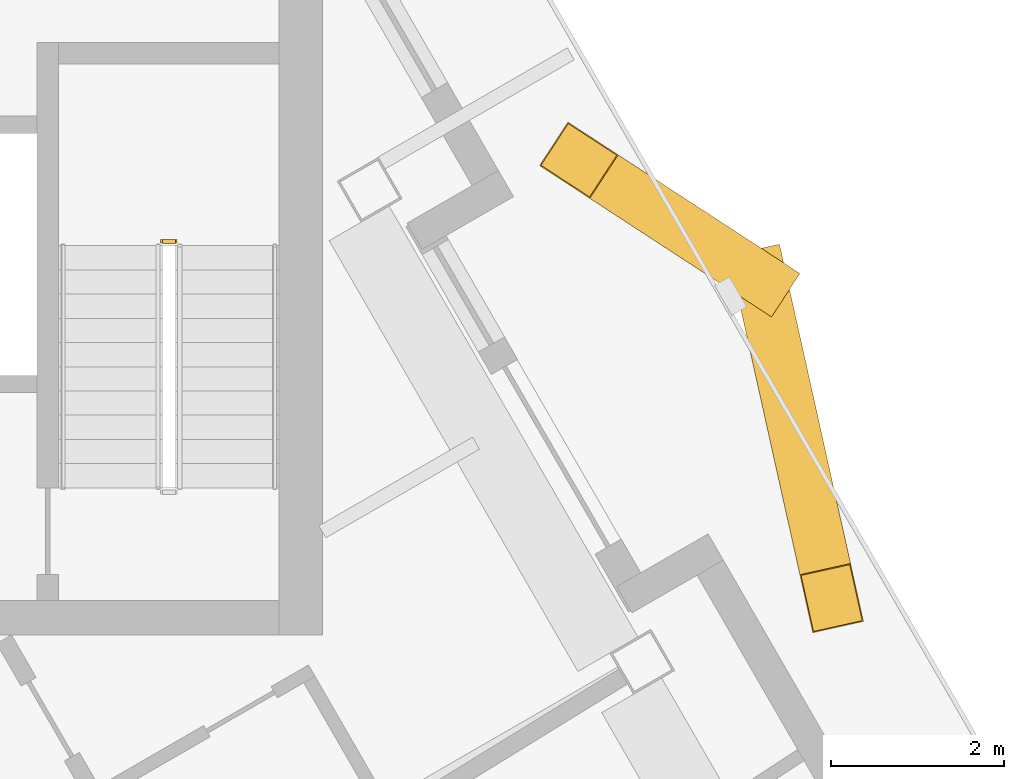
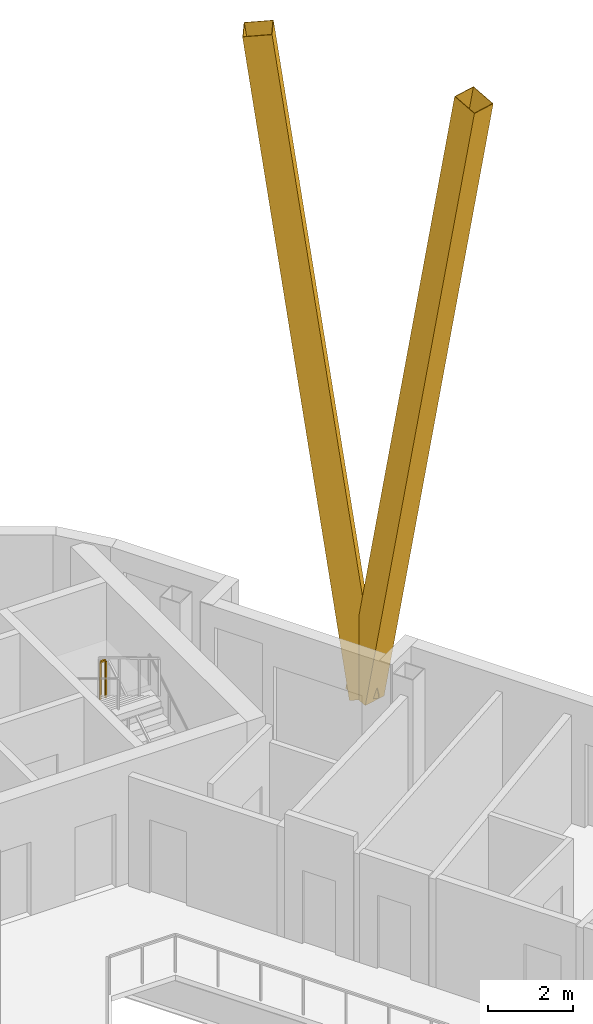
# One storey, part 12 of 12: 2 shading devices, 1 railing.
"""IFC4 building model written with IfcOpenShell, lengths in metres."""

import ifcopenshell
import ifcopenshell.guid

model = None  # the IFC model being written
_history = None  # IfcOwnerHistory: only IFC2X3 demands one
_inside = {}  # id of a spatial element -> (the spatial element, [elements in it])
_under = {}  # id of a project, library or spatial element -> (it, [spatial elements below it])
_declared = {}  # id of a project -> (the project, [libraries it declares])
_typed = {}  # id of a type object -> (the type object, [elements of that type])
_made_of = {}  # id of a material, layer set ... -> (it, [elements and type objects made of it])


def new_model(schema):
    """Start an empty IFC model of exactly this schema.

    Asked for "IFC4X3", IfcOpenShell would pick the latest addendum, in which some entities
    have other attributes; the version numbers below select the first issue.
    IFC2X3 requires an IfcOwnerHistory on every rooted entity: one is made here for all.
    """
    global model, _history
    if schema == "IFC4X3":
        model = ifcopenshell.file(schema_version=(4, 3, 0, 0))
    else:
        model = ifcopenshell.file(schema=schema)
    _inside.clear()
    _under.clear()
    _declared.clear()
    _typed.clear()
    _made_of.clear()
    _history = None
    if model.schema == "IFC2X3":
        org = make("IfcOrganization", Name="unknown")
        user = make(
            "IfcPersonAndOrganization",
            ThePerson=make("IfcPerson", FamilyName="unknown"),
            TheOrganization=org,
        )
        app = make(
            "IfcApplication",
            ApplicationDeveloper=org,
            Version="unknown",
            ApplicationFullName="unknown",
            ApplicationIdentifier="unknown",
        )
        _history = make(
            "IfcOwnerHistory",
            OwningUser=user,
            OwningApplication=app,
            ChangeAction="ADDED",
            CreationDate=0,
        )
    return model


def make(cls, **values):
    """One entity of the class cls with the attributes given. An attribute that is None is left unset."""
    return model.create_entity(
        cls, **{name: value for name, value in values.items() if value is not None}
    )


def rooted(cls, **values):
    """An entity with a GlobalId (a new one), such as an element, a storey or a relation."""
    return make(cls, GlobalId=ifcopenshell.guid.new(), OwnerHistory=_history, **values)


def si_unit(unit_type, name, prefix=None):
    """IfcSIUnit, for example si_unit("LENGTHUNIT", "METRE", prefix="MILLI")."""
    return make("IfcSIUnit", UnitType=unit_type, Prefix=prefix, Name=name)


def assignment(units):
    """IfcUnitAssignment: the units of a project."""
    return None if units is None else make("IfcUnitAssignment", Units=units)


def point(xyz):
    """IfcCartesianPoint."""
    return None if xyz is None else make("IfcCartesianPoint", Coordinates=xyz)


def direction(xyz):
    """IfcDirection."""
    return None if xyz is None else make("IfcDirection", DirectionRatios=xyz)


def frame(location, z_axis=None, x_axis=None):
    """IfcAxis2Placement3D, a coordinate frame: its origin and axes. An axis left out is left unset."""
    return make(
        "IfcAxis2Placement3D",
        Location=point(location),
        Axis=direction(z_axis),
        RefDirection=direction(x_axis),
    )


def frame_2d(location, x_axis=None):
    """IfcAxis2Placement2D, a coordinate frame in the plane: its origin and x axis."""
    return make(
        "IfcAxis2Placement2D", Location=point(location), RefDirection=direction(x_axis)
    )


def origin():
    """The frame at (0, 0, 0) with its axes left unset."""
    return frame((0.0, 0.0, 0.0))


def origin_2d():
    """The frame at (0, 0) in the plane with its x axis left unset."""
    return frame_2d((0.0, 0.0))


def place(relative_to, where):
    """IfcLocalPlacement: puts the frame where relative to a parent placement (None: the world)."""
    return make(
        "IfcLocalPlacement", PlacementRelTo=relative_to, RelativePlacement=where
    )


def context(
    kind, dimensions, precision=None, world=None, true_north=None, identifier=None
):
    """IfcGeometricRepresentationContext, for example the 3D "Model" context."""
    return make(
        "IfcGeometricRepresentationContext",
        ContextIdentifier=identifier,
        ContextType=kind,
        CoordinateSpaceDimension=dimensions,
        Precision=precision,
        WorldCoordinateSystem=world,
        TrueNorth=true_north,
    )


def subcontext(parent, identifier, kind, view, scale=None):
    """IfcGeometricRepresentationSubContext, for example "Body" below "Model"."""
    return make(
        "IfcGeometricRepresentationSubContext",
        ContextIdentifier=identifier,
        ContextType=kind,
        ParentContext=parent,
        TargetScale=scale,
        TargetView=view,
    )


def project(units=None, contexts=None):
    """IfcProject with its units and contexts."""
    return rooted(
        "IfcProject",
        Name="project",
        RepresentationContexts=contexts,
        UnitsInContext=assignment(units),
    )


def spatial(cls, under=None, at=None, **own):
    """A site, building, storey or space (cls), placed at a placement, below another one or the project."""
    s = rooted(cls, ObjectPlacement=at, **own)
    if under is not None:
        _under.setdefault(under.id(), (under, []))[1].append(s)
    return s


def profile(cls, at=None, kind="AREA", **sizes):
    """A parametric profile (cls). Its sizes go by their IFC names, for example OverallWidth=200.0."""
    return make(cls, ProfileType=kind, Position=at, **sizes)


def rectangle(**sizes):
    """IfcRectangleProfileDef."""
    return profile("IfcRectangleProfileDef", **sizes)


def hollow_rectangle(**sizes):
    """IfcRectangleHollowProfileDef."""
    return profile("IfcRectangleHollowProfileDef", **sizes)


def extrude(swept, where, along, depth):
    """IfcExtrudedAreaSolid: the profile swept, set in the frame where, extruded along a direction by depth."""
    return make(
        "IfcExtrudedAreaSolid",
        SweptArea=swept,
        Position=where,
        ExtrudedDirection=direction(along),
        Depth=depth,
    )


def shape(context_of_items, identifier, shape_type, items):
    """IfcShapeRepresentation: the items that make up one representation, for example the "Body"."""
    return make(
        "IfcShapeRepresentation",
        ContextOfItems=context_of_items,
        RepresentationIdentifier=identifier,
        RepresentationType=shape_type,
        Items=items,
    )


def material(Name=None, Category=None):
    """IfcMaterial."""
    return make("IfcMaterial", Name=Name, Category=Category)


def material_profile(
    of_material, cross_section, Name=None, Category=None, Priority=None
):
    """IfcMaterialProfile: a cross section and its material."""
    return make(
        "IfcMaterialProfile",
        Name=Name,
        Material=of_material,
        Profile=cross_section,
        Priority=Priority,
        Category=Category,
    )


def profile_set(profiles, Name=None, composite=None):
    """IfcMaterialProfileSet."""
    return make(
        "IfcMaterialProfileSet",
        Name=Name,
        MaterialProfiles=profiles,
        CompositeProfile=composite,
    )


def made_of(thing, what):
    """Note that an element or type object is made of a material, layer set ...; save() writes the relation."""
    if what is not None:
        _made_of.setdefault(what.id(), (what, []))[1].append(thing)
    return thing


def type_object(cls, material=None, **own):
    """A type object (cls), such as IfcWallType, which elements share."""
    return made_of(rooted(cls, **own), material)


def element(
    cls,
    number,
    at=None,
    inside=None,
    cuts=None,
    type_object=None,
    material=None,
    context=None,
    identifier="Body",
    shape_type=None,
    held_by="IfcProductDefinitionShape",
    body=None,
    shapes=None,
    **own,
):
    """One element of the class cls, such as IfcWall. Its Tag is "e" and its number.

    at: its placement. inside: the storey or other place that contains it. cuts: it is an
    opening in that element (IfcRelVoidsElement). A single representation is given by context,
    identifier, shape_type and body (its items); several are given by shapes. held_by: the class
    of the entity that holds the representations. save() writes the other relations.
    """
    e = rooted(cls, Tag="e%d" % number, ObjectPlacement=at, **own)
    if body is not None:
        shapes = [shape(context, identifier, shape_type, body)]
    if shapes is not None:
        e.Representation = make(held_by, Representations=shapes)
    if inside is not None:
        _inside.setdefault(inside.id(), (inside, []))[1].append(e)
    if cuts is not None:
        rooted(
            "IfcRelVoidsElement", RelatingBuildingElement=cuts, RelatedOpeningElement=e
        )
    if type_object is not None:
        _typed.setdefault(type_object.id(), (type_object, []))[1].append(e)
    return made_of(e, material)


def aggregate(whole, parts):
    """IfcRelAggregates: a whole, such as a stair, and the parts it consists of."""
    return rooted("IfcRelAggregates", RelatingObject=whole, RelatedObjects=parts)


def save(model, path):
    """Write the relations noted so far, then the file.

    IfcRelAggregates (storeys below a building ...), IfcRelContainedInSpatialStructure (elements
    in a storey), IfcRelDefinesByType, IfcRelAssociatesMaterial and IfcRelDeclares: one each for
    every whole, place, type object, material and project.
    """
    for whole, parts in _under.values():
        aggregate(whole, parts)
    for where, things in _inside.values():
        rooted(
            "IfcRelContainedInSpatialStructure",
            RelatedElements=things,
            RelatingStructure=where,
        )
    for kind, things in _typed.values():
        rooted("IfcRelDefinesByType", RelatedObjects=things, RelatingType=kind)
    for what, things in _made_of.values():
        rooted("IfcRelAssociatesMaterial", RelatedObjects=things, RelatingMaterial=what)
    for by, libraries in _declared.values():
        rooted("IfcRelDeclares", RelatingContext=by, RelatedDefinitions=libraries)
    model.write(path)


model = new_model("IFC4")

# Units and contexts
model_context = context("Model", 3, precision=1e-05, world=origin(), true_north=direction((0.0, 1.0)))
body_context = subcontext(model_context, "Body", "Model", "MODEL_VIEW")
ifc_project = project(units=[si_unit("LENGTHUNIT", "METRE"), si_unit("AREAUNIT", "SQUARE_METRE"), si_unit("VOLUMEUNIT", "CUBIC_METRE"), si_unit("PLANEANGLEUNIT", "RADIAN"), si_unit("MASSUNIT", "GRAM", prefix="KILO")], contexts=[model_context])

# Site, building, storey
site_placement = place(None, origin())
site = spatial("IfcSite", under=ifc_project, at=site_placement, CompositionType="ELEMENT")
building_placement = place(site_placement, origin())
building = spatial("IfcBuilding", under=site, at=building_placement, Name="Apuvela Tower Hotel", CompositionType="ELEMENT")
storey_placement = place(building_placement, frame((0.0, 0.0, 324.39990234375)))
storey = spatial("IfcBuildingStorey", under=building, at=storey_placement, Name="L81", CompositionType="ELEMENT", Elevation=324.39990234375)

# Railing
ifc_material_1 = material(Name="Steel S275 balustrade", Category="steel")
railing_type = type_object("IfcRailingType", Name="COR-GUARD-1100", PredefinedType="GUARDRAIL", material=ifc_material_1)
railing_placement = place(storey_placement, frame((3.800048828125, 17.449951171875, 1.85009765625)))
element("IfcRailing", 1, at=railing_placement, inside=storey, type_object=railing_type, Name="L81 ST1 stair guard 2", PredefinedType="GUARDRAIL", context=body_context, shape_type="SweptSolid", body=[
    extrude(rectangle(XDim=0.048095703125, YDim=0.048095703125, at=origin_2d()), frame((0.0, 0.0, 1.076171875), z_axis=(-1.0, 0.0, 0.0), x_axis=(0.0, -1.0, 0.0)), (0.0, 0.0, 1.0), 0.150146484375),
    extrude(rectangle(XDim=0.0419921875, YDim=0.0419921875, at=origin_2d()), origin(), (0.0, 0.0, 1.0), 1.052001953125),
    extrude(rectangle(XDim=0.0419921875, YDim=0.0419921875, at=origin_2d()), frame((-0.150146484375, 0.0, 0.0)), (0.0, 0.0, 1.0), 1.052001953125),
])

# Shading devices
ifc_material_2 = material(Name="Aluminium 6063-T6, black anodised", Category="aluminium")
ifc_material_profile = material_profile(ifc_material_2, hollow_rectangle(XDim=0.60009765625, YDim=0.699951171875, WallThickness=0.011962890625, at=origin_2d()), Name="AL BOX 700x600x12")
ifc_profile_set = profile_set([ifc_material_profile], Name="Aluminium 6063-T6, black anodised")
shading_device_type = type_object("IfcShadingDeviceType", Name="ENV-FIN-700x600", PredefinedType="USERDEFINED", material=ifc_profile_set)
shading_device_1_placement = place(storey_placement, frame((10.5673828125, 17.017333984375, -0.099853515625), z_axis=(0.04263536803, -0.191517161206, 0.980562798783), x_axis=(0.976104964772, 0.217299557634, 0.0)))
element("IfcShadingDevice", 2, at=shading_device_1_placement, inside=storey, type_object=shading_device_type, Name="Lattice fin NE683", ObjectType="FIN", PredefinedType="USERDEFINED", context=body_context, shape_type="SweptSolid", body=[
    extrude(hollow_rectangle(XDim=0.60009765625, YDim=0.699951171875, WallThickness=0.011962890625, at=origin_2d()), origin(), (0.0, 0.0, 1.0), 19.274658203125),
])
shading_device_2_placement = place(storey_placement, frame((10.5673828125, 17.017333984375, -0.099853515625), z_axis=(-0.11021436548, 0.071926814326, 0.99130183447), x_axis=(-0.546523001194, -0.837444093159, 0.0)))
element("IfcShadingDevice", 3, at=shading_device_2_placement, inside=storey, type_object=shading_device_type, Name="Lattice fin NE684", ObjectType="FIN", PredefinedType="USERDEFINED", context=body_context, shape_type="SweptSolid", body=[
    extrude(hollow_rectangle(XDim=0.60009765625, YDim=0.699951171875, WallThickness=0.011962890625, at=origin_2d()), origin(), (0.0, 0.0, 1.0), 19.065673828125),
])

save(model, "model.ifc")
